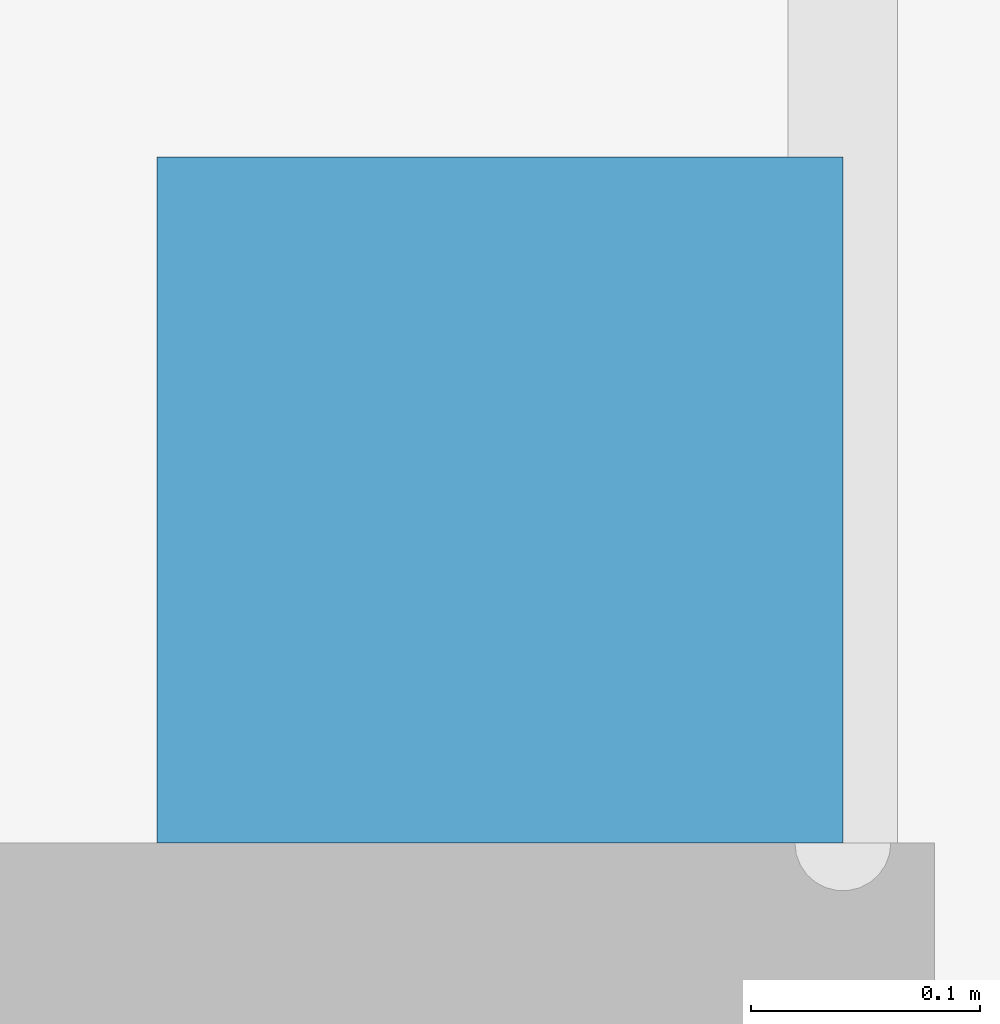
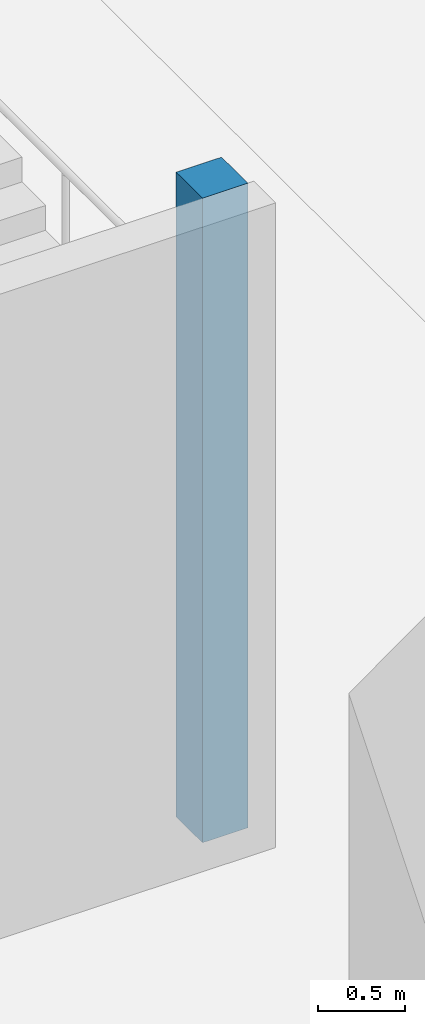
# One storey, part 4 of 30: 1 member.
"""IFC4 building model written with IfcOpenShell, lengths in metres."""

from ifc_helpers import new_model, si_unit, direction, frame, origin, origin_2d, place, context, subcontext, project, spatial, rectangle, extrude, material, material_profile, profile_set, type_object, element, save


model = new_model("IFC4")

# Units and contexts
model_context = context("Model", 3, precision=1e-05, world=origin(), true_north=direction((0.0, 1.0)))
body_context = subcontext(model_context, "Body", "Model", "MODEL_VIEW")
ifc_project = project(units=[si_unit("LENGTHUNIT", "METRE"), si_unit("AREAUNIT", "SQUARE_METRE"), si_unit("VOLUMEUNIT", "CUBIC_METRE"), si_unit("PLANEANGLEUNIT", "RADIAN"), si_unit("MASSUNIT", "GRAM", prefix="KILO")], contexts=[model_context])

# Site, building, storey
site_placement = place(None, origin())
site = spatial("IfcSite", under=ifc_project, at=site_placement, CompositionType="ELEMENT")
building_placement = place(site_placement, origin())
building = spatial("IfcBuilding", under=site, at=building_placement, Name="Cinnabar Reach Civic Tower", CompositionType="ELEMENT")
storey_placement = place(building_placement, frame((0.0, 0.0, -14.0)))
storey = spatial("IfcBuildingStorey", under=building, at=storey_placement, Name="B3", CompositionType="ELEMENT", Elevation=-14.0)

# Member
ifc_material = material(Name="Concrete C40", Category="concrete")
ifc_material_profile = material_profile(ifc_material, rectangle(XDim=0.3, YDim=0.3, at=origin_2d()), Name="C300")
ifc_profile_set = profile_set([ifc_material_profile], Name="Concrete C40")
member_type = type_object("IfcMemberType", Name="T2 stair post 300", PredefinedType="STRUT", material=ifc_profile_set)
member_placement = place(storey_placement, frame((-27.55, 21.4, 0.0), z_axis=(0.0, 0.0, 1.0), x_axis=(1.0, 0.0, 0.0)))
element("IfcMember", 1, at=member_placement, inside=storey, type_object=member_type, Name="Stair post 1", PredefinedType="STRUT", context=body_context, shape_type="SweptSolid", body=[
    extrude(rectangle(XDim=0.3, YDim=0.3, at=origin_2d()), origin(), (0.0, 0.0, 1.0), 4.5),
])

save(model, "model.ifc")
